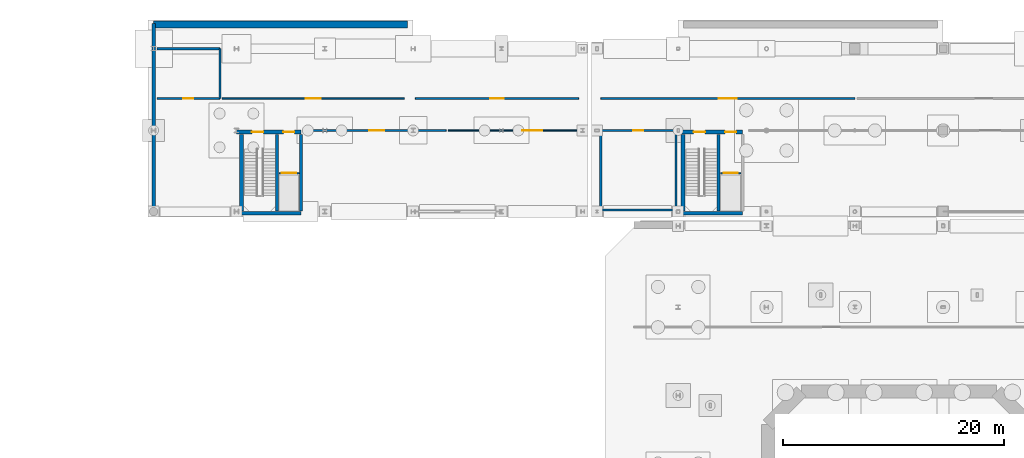
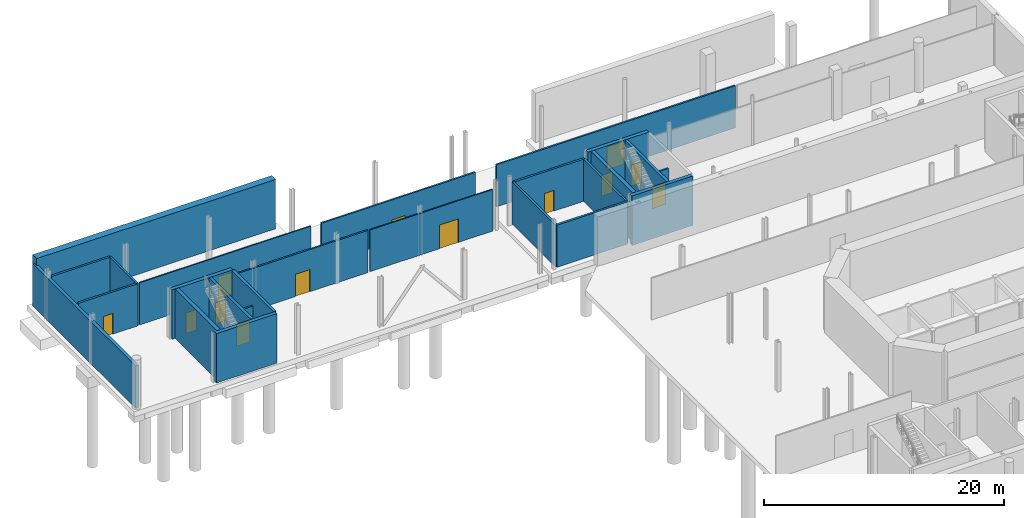
# One storey, part 22 of 33: 26 walls, 13 doors, 13 openings.
"""IFC4 building model written with IfcOpenShell, lengths in metres."""

from ifc_helpers import new_model, si_unit, direction, frame, frame_2d, origin, place, context, subcontext, project, spatial, rectangle, extrude, material, layer, layer_set, type_object, element, fill, save


model = new_model("IFC4")

# Units and contexts
model_context = context("Model", 3, precision=1e-05, world=origin(), true_north=direction((0.0, 1.0)))
body_context = subcontext(model_context, "Body", "Model", "MODEL_VIEW")
ifc_project = project(units=[si_unit("LENGTHUNIT", "METRE"), si_unit("AREAUNIT", "SQUARE_METRE"), si_unit("VOLUMEUNIT", "CUBIC_METRE"), si_unit("PLANEANGLEUNIT", "RADIAN"), si_unit("MASSUNIT", "GRAM", prefix="KILO")], contexts=[model_context])

# Site, building, storey
site_placement = place(None, origin())
site = spatial("IfcSite", under=ifc_project, at=site_placement, CompositionType="ELEMENT")
building_placement = place(site_placement, origin())
building = spatial("IfcBuilding", under=site, at=building_placement, Name="Brisemont Oceanarium", CompositionType="ELEMENT")
storey_placement = place(building_placement, frame((0.0, 0.0, -5.39990234375)))
storey = spatial("IfcBuildingStorey", under=building, at=storey_placement, Name="B01", CompositionType="ELEMENT", Elevation=-5.39990234375)

# Walls
ifc_material_1 = material(Name="Sierra Granite Ashlar Backup Concrete C35/45", Category="masonry")
ifc_layer_1 = layer(ifc_material_1, 0.300048828125)
ifc_layer_set_1 = layer_set([ifc_layer_1], Name="Sierra Granite Ashlar Backup Concrete C35/45")
wall_type_1 = type_object("IfcWallType", Name="EW-GRANITE-300", PredefinedType="STANDARD", material=ifc_layer_set_1)
wall_1_placement = place(storey_placement, frame((16.5, 80.5, 0.0), z_axis=(0.0, 0.0, 1.0), x_axis=(0.0, 1.0, 0.0)))
element("IfcWall", 1, at=wall_1_placement, inside=storey, type_object=wall_type_1, Name="Beaux-Arts exterior wall EW-V7W-W-B01-1", PredefinedType="STANDARD", context=body_context, shape_type="SweptSolid", body=[
    extrude(rectangle(XDim=7.5, YDim=0.300048828125, at=frame_2d((3.75, 0.0))), origin(), (0.0, 0.0, 1.0), 4.31689453125),
])
wall_2_placement = place(storey_placement, frame((16.5, 88.0, 0.0), z_axis=(0.0, 0.0, 1.0), x_axis=(0.0, 1.0, 0.0)))
element("IfcWall", 2, at=wall_2_placement, inside=storey, type_object=wall_type_1, Name="Beaux-Arts exterior wall EW-V7W-W-B01-2", PredefinedType="STANDARD", context=body_context, shape_type="SweptSolid", body=[
    extrude(rectangle(XDim=9.699951171875, YDim=0.300048828125, at=frame_2d((4.85009765625, 0.0))), origin(), (0.0, 0.0, 1.0), 4.31689453125),
])

# Wall, opening, door
ifc_material_2 = material(Name="Moisture-Resistant Gypsum Steel-Stud Partition", Category="steel")
ifc_layer_2 = layer(ifc_material_2, 0.159912109375)
ifc_layer_set_2 = layer_set([ifc_layer_2], Name="Moisture-Resistant Gypsum Steel-Stud Partition")
wall_type_2 = type_object("IfcWallType", Name="IW-FB-160", PredefinedType="PARTITIONING", material=ifc_layer_set_2)
wall_3_placement = place(storey_placement, frame((67.85009765625, 84.1298828125, 0.0), z_axis=(0.0, 0.0, 1.0), x_axis=(1.0, 0.0, 0.0)))
wall_3 = element("IfcWall", 3, at=wall_3_placement, inside=storey, type_object=wall_type_2, Name="Core C8 B01 lift hoistway front wall", PredefinedType="PARTITIONING", context=body_context, shape_type="SweptSolid", body=[
    extrude(rectangle(XDim=1.83984375, YDim=0.159912109375, at=frame_2d((0.919921875, 0.0))), origin(), (0.0, 0.0, 1.0), 3.599853515625),
])
opening_1_placement = place(wall_3_placement, frame((0.27001953125, 0.0, 0.0)))
opening_1 = element("IfcOpeningElement", 4, at=opening_1_placement, cuts=wall_3, Name="Opening LD-02", PredefinedType="OPENING", context=body_context, shape_type="SweptSolid", body=[
    extrude(rectangle(XDim=1.300048828125, YDim=2.199951171875, at=frame_2d((0.64990234375, 1.10009765625))), frame((0.0, 0.08984375, 0.0), z_axis=(0.0, -1.0, 0.0), x_axis=(1.0, 0.0, 0.0)), (0.0, 0.0, 1.0), 0.179931640625),
])
ifc_material_3 = material(Name="Duplex Stainless Steel EN 1.4462", Category="steel")
door_type_1 = type_object("IfcDoorType", Name="DR-LIFT-1300X2200", OperationType="NOTDEFINED", PredefinedType="DOOR", material=ifc_material_3)
door_1_placement = place(opening_1_placement, origin())
door_1 = element("IfcDoor", 5, at=door_1_placement, inside=storey, type_object=door_type_1, Name="Lift landing door L-08 B01", OperationType="SLIDING_TO_LEFT", OverallHeight=2.199951171875, OverallWidth=1.300048828125, PredefinedType="DOOR", context=body_context, shape_type="SweptSolid", body=[
    extrude(rectangle(XDim=1.300048828125, YDim=2.199951171875, at=frame_2d((0.64990234375, 1.10009765625))), frame((0.0, 0.02490234375, 0.0), z_axis=(0.0, -1.0, 0.0), x_axis=(1.0, 0.0, 0.0)), (0.0, 0.0, 1.0), 0.050048828125),
])
fill(opening_1, door_1)

wall_4_placement = place(storey_placement, frame((27.85009765625, 84.1298828125, 0.0), z_axis=(0.0, 0.0, 1.0), x_axis=(1.0, 0.0, 0.0)))
wall_4 = element("IfcWall", 6, at=wall_4_placement, inside=storey, type_object=wall_type_2, Name="Core C9 B01 lift hoistway front wall", PredefinedType="PARTITIONING", context=body_context, shape_type="SweptSolid", body=[
    extrude(rectangle(XDim=1.83984375, YDim=0.159912109375, at=frame_2d((0.919921875, 0.0))), origin(), (0.0, 0.0, 1.0), 3.599853515625),
])
opening_2_placement = place(wall_4_placement, frame((0.27001953125, 0.0, 0.0)))
opening_2 = element("IfcOpeningElement", 7, at=opening_2_placement, cuts=wall_4, Name="Opening LD-02", PredefinedType="OPENING", context=body_context, shape_type="SweptSolid", body=[
    extrude(rectangle(XDim=1.300048828125, YDim=2.199951171875, at=frame_2d((0.64990234375, 1.10009765625))), frame((0.0, 0.08984375, 0.0), z_axis=(0.0, -1.0, 0.0), x_axis=(1.0, 0.0, 0.0)), (0.0, 0.0, 1.0), 0.179931640625),
])
door_2_placement = place(opening_2_placement, origin())
door_2 = element("IfcDoor", 8, at=door_2_placement, inside=storey, type_object=door_type_1, Name="Lift landing door L-09 B01", OperationType="SLIDING_TO_LEFT", OverallHeight=2.199951171875, OverallWidth=1.300048828125, PredefinedType="DOOR", context=body_context, shape_type="SweptSolid", body=[
    extrude(rectangle(XDim=1.300048828125, YDim=2.199951171875, at=frame_2d((0.64990234375, 1.10009765625))), frame((0.0, 0.02490234375, 0.0), z_axis=(0.0, -1.0, 0.0), x_axis=(1.0, 0.0, 0.0)), (0.0, 0.0, 1.0), 0.050048828125),
])
fill(opening_2, door_2)

wall_5_placement = place(storey_placement, frame((30.39990234375, 88.0, 0.0), z_axis=(0.0, 0.0, 1.0), x_axis=(1.0, 0.0, 0.0)))
wall_5 = element("IfcWall", 9, at=wall_5_placement, inside=storey, type_object=wall_type_2, Name="Life Support Seawater Intake Plant corridor partition", PredefinedType="PARTITIONING", context=body_context, shape_type="SweptSolid", body=[
    extrude(rectangle(XDim=12.60009765625, YDim=0.159912109375, at=frame_2d((6.300048828125, 0.0))), origin(), (0.0, 0.0, 1.0), 4.289794921875),
])
opening_3_placement = place(wall_5_placement, frame((5.610107421875, 0.0, 0.0)))
opening_3 = element("IfcOpeningElement", 10, at=opening_3_placement, cuts=wall_5, Name="Opening PD-01", PredefinedType="OPENING", context=body_context, shape_type="SweptSolid", body=[
    extrude(rectangle(XDim=1.3798828125, YDim=2.25, at=frame_2d((0.68994140625, 1.125))), frame((0.0, 0.08984375, 0.0), z_axis=(0.0, -1.0, 0.0), x_axis=(1.0, 0.0, 0.0)), (0.0, 0.0, 1.0), 0.179931640625),
])
ifc_material_4 = material(Name="Duplex Stainless Steel EN 1.4462", Category="steel")
door_type_2 = type_object("IfcDoorType", Name="DR-PLT-1380X2250", OperationType="NOTDEFINED", PredefinedType="DOOR", material=ifc_material_4)
door_3_placement = place(opening_3_placement, origin())
door_3 = element("IfcDoor", 11, at=door_3_placement, inside=storey, type_object=door_type_2, Name="PD-01 door to Life Support Seawater Intake Plant", OperationType="SINGLE_SWING_RIGHT", OverallHeight=2.25, OverallWidth=1.3798828125, PredefinedType="DOOR", context=body_context, shape_type="SweptSolid", body=[
    extrude(rectangle(XDim=1.3798828125, YDim=2.25, at=frame_2d((0.68994140625, 1.125))), frame((0.0, 0.02490234375, 0.0), z_axis=(0.0, -1.0, 0.0), x_axis=(1.0, 0.0, 0.0)), (0.0, 0.0, 1.0), 0.050048828125),
])
fill(opening_3, door_3)

wall_6_placement = place(storey_placement, frame((40.199951171875, 90.89990234375, 0.0), z_axis=(0.0, 0.0, 1.0), x_axis=(1.0, 0.0, 0.0)))
wall_6 = element("IfcWall", 12, at=wall_6_placement, inside=storey, type_object=wall_type_2, Name="Quarantine Sterilization Plant corridor partition", PredefinedType="PARTITIONING", context=body_context, shape_type="SweptSolid", body=[
    extrude(rectangle(XDim=14.800048828125, YDim=0.159912109375, at=frame_2d((7.39990234375, 0.0))), origin(), (0.0, 0.0, 1.0), 4.23779296875),
])
opening_4_placement = place(wall_6_placement, frame((6.77490234375, 0.0, 0.0)))
opening_4 = element("IfcOpeningElement", 13, at=opening_4_placement, cuts=wall_6, Name="Opening LB-02", PredefinedType="OPENING", context=body_context, shape_type="SweptSolid", body=[
    extrude(rectangle(XDim=1.25, YDim=2.199951171875, at=frame_2d((0.625, 1.10009765625))), frame((0.0, 0.08984375, 0.0), z_axis=(0.0, -1.0, 0.0), x_axis=(1.0, 0.0, 0.0)), (0.0, 0.0, 1.0), 0.179931640625),
])
ifc_material_5 = material(Name="Duplex Stainless Steel EN 1.4462", Category="steel")
door_type_3 = type_object("IfcDoorType", Name="DR-LAB-1250X2200", OperationType="NOTDEFINED", PredefinedType="DOOR", material=ifc_material_5)
door_4_placement = place(opening_4_placement, origin())
door_4 = element("IfcDoor", 14, at=door_4_placement, inside=storey, type_object=door_type_3, Name="LB-02 door to Quarantine Sterilization Plant", OperationType="SINGLE_SWING_RIGHT", OverallHeight=2.199951171875, OverallWidth=1.25, PredefinedType="DOOR", context=body_context, shape_type="SweptSolid", body=[
    extrude(rectangle(XDim=1.25, YDim=2.199951171875, at=frame_2d((0.625, 1.10009765625))), frame((0.0, 0.02490234375, 0.0), z_axis=(0.0, -1.0, 0.0), x_axis=(1.0, 0.0, 0.0)), (0.0, 0.0, 1.0), 0.050048828125),
])
fill(opening_4, door_4)

wall_7_placement = place(storey_placement, frame((57.0, 90.89990234375, 0.0), z_axis=(0.0, 0.0, 1.0), x_axis=(1.0, 0.0, 0.0)))
wall_7 = element("IfcWall", 15, at=wall_7_placement, inside=storey, type_object=wall_type_2, Name="Life Support Protein Skimmer Plant corridor partition", PredefinedType="PARTITIONING", context=body_context, shape_type="SweptSolid", body=[
    extrude(rectangle(XDim=23.0, YDim=0.159912109375, at=frame_2d((11.5, 0.0))), origin(), (0.0, 0.0, 1.0), 4.289794921875),
])
opening_5_placement = place(wall_7_placement, frame((10.675048828125, 0.0, 0.0)))
opening_5 = element("IfcOpeningElement", 16, at=opening_5_placement, cuts=wall_7, Name="Opening GD-02", PredefinedType="OPENING", context=body_context, shape_type="SweptSolid", body=[
    extrude(rectangle(XDim=1.64990234375, YDim=2.35009765625, at=frame_2d((0.824951171875, 1.175048828125))), frame((0.0, 0.08984375, 0.0), z_axis=(0.0, -1.0, 0.0), x_axis=(1.0, 0.0, 0.0)), (0.0, 0.0, 1.0), 0.179931640625),
])
ifc_material_6 = material(Name="Patinated Architectural Bronze C38500")
door_type_4 = type_object("IfcDoorType", Name="DR-GAL-1650X2350", OperationType="NOTDEFINED", PredefinedType="DOOR", material=ifc_material_6)
door_5_placement = place(opening_5_placement, origin())
door_5 = element("IfcDoor", 17, at=door_5_placement, inside=storey, type_object=door_type_4, Name="GD-02 door to Life Support Protein Skimmer Plant", OperationType="SINGLE_SWING_LEFT", OverallHeight=2.35009765625, OverallWidth=1.64990234375, PredefinedType="DOOR", context=body_context, shape_type="SweptSolid", body=[
    extrude(rectangle(XDim=1.64990234375, YDim=2.35009765625, at=frame_2d((0.824951171875, 1.175048828125))), frame((0.0, 0.02490234375, 0.0), z_axis=(0.0, -1.0, 0.0), x_axis=(1.0, 0.0, 0.0)), (0.0, 0.0, 1.0), 0.050048828125),
])
fill(opening_5, door_5)

ifc_material_7 = material(Name="Moisture-Resistant Gypsum Steel-Stud Partition", Category="steel")
ifc_layer_3 = layer(ifc_material_7, 0.1201171875)
ifc_layer_set_3 = layer_set([ifc_layer_3], Name="Moisture-Resistant Gypsum Steel-Stud Partition")
wall_type_3 = type_object("IfcWallType", Name="IW-PART-120", PredefinedType="PARTITIONING", material=ifc_layer_set_3)
wall_8_placement = place(storey_placement, frame((43.199951171875, 88.0, 0.0), z_axis=(0.0, 0.0, 1.0), x_axis=(1.0, 0.0, 0.0)))
wall_8 = element("IfcWall", 18, at=wall_8_placement, inside=storey, type_object=wall_type_3, Name="Life Support Brine Recovery Plant corridor partition", PredefinedType="PARTITIONING", context=body_context, shape_type="SweptSolid", body=[
    extrude(rectangle(XDim=11.800048828125, YDim=0.1201171875, at=frame_2d((5.89990234375, 0.0))), origin(), (0.0, 0.0, 1.0), 4.23779296875),
])
opening_6_placement = place(wall_8_placement, frame((6.684814453125, 0.0, 0.0)))
opening_6 = element("IfcOpeningElement", 19, at=opening_6_placement, cuts=wall_8, Name="Opening GD-01", PredefinedType="OPENING", context=body_context, shape_type="SweptSolid", body=[
    extrude(rectangle(XDim=1.800048828125, YDim=2.39990234375, at=frame_2d((0.89990234375, 1.199951171875))), frame((0.0, 0.070068359375, 0.0), z_axis=(0.0, -1.0, 0.0), x_axis=(1.0, 0.0, 0.0)), (0.0, 0.0, 1.0), 0.14013671875),
])
ifc_material_8 = material(Name="Patinated Architectural Bronze C38500")
door_type_5 = type_object("IfcDoorType", Name="DR-GAL-1800X2400", OperationType="NOTDEFINED", PredefinedType="DOOR", material=ifc_material_8)
door_6_placement = place(opening_6_placement, origin())
door_6 = element("IfcDoor", 20, at=door_6_placement, inside=storey, type_object=door_type_5, Name="GD-01 door to Life Support Brine Recovery Plant", OperationType="SINGLE_SWING_LEFT", OverallHeight=2.39990234375, OverallWidth=1.800048828125, PredefinedType="DOOR", context=body_context, shape_type="SweptSolid", body=[
    extrude(rectangle(XDim=1.800048828125, YDim=2.39990234375, at=frame_2d((0.89990234375, 1.199951171875))), frame((0.0, 0.02490234375, 0.0), z_axis=(0.0, -1.0, 0.0), x_axis=(1.0, 0.0, 0.0)), (0.0, 0.0, 1.0), 0.050048828125),
])
fill(opening_6, door_6)

wall_9_placement = place(storey_placement, frame((22.699951171875, 90.89990234375, 0.0), z_axis=(0.0, 0.0, 1.0), x_axis=(1.0, 0.0, 0.0)))
wall_9 = element("IfcWall", 21, at=wall_9_placement, inside=storey, type_object=wall_type_3, Name="Quarantine Isolation Sump Hall corridor partition", PredefinedType="PARTITIONING", context=body_context, shape_type="SweptSolid", body=[
    extrude(rectangle(XDim=16.5, YDim=0.1201171875, at=frame_2d((8.25, 0.0))), origin(), (0.0, 0.0, 1.0), 4.289794921875),
])
opening_7_placement = place(wall_9_placement, frame((7.574951171875, 0.0, 0.0)))
opening_7 = element("IfcOpeningElement", 22, at=opening_7_placement, cuts=wall_9, Name="Opening LB-01", PredefinedType="OPENING", context=body_context, shape_type="SweptSolid", body=[
    extrude(rectangle(XDim=1.35009765625, YDim=2.25, at=frame_2d((0.675048828125, 1.125))), frame((0.0, 0.070068359375, 0.0), z_axis=(0.0, -1.0, 0.0), x_axis=(1.0, 0.0, 0.0)), (0.0, 0.0, 1.0), 0.14013671875),
])
ifc_material_9 = material(Name="Duplex Stainless Steel EN 1.4462", Category="steel")
door_type_6 = type_object("IfcDoorType", Name="DR-LAB-1350X2250", OperationType="NOTDEFINED", PredefinedType="DOOR", material=ifc_material_9)
door_7_placement = place(opening_7_placement, origin())
door_7 = element("IfcDoor", 23, at=door_7_placement, inside=storey, type_object=door_type_6, Name="LB-01 door to Quarantine Isolation Sump Hall", OperationType="SINGLE_SWING_LEFT", OverallHeight=2.25, OverallWidth=1.35009765625, PredefinedType="DOOR", context=body_context, shape_type="SweptSolid", body=[
    extrude(rectangle(XDim=1.35009765625, YDim=2.25, at=frame_2d((0.675048828125, 1.125))), frame((0.0, 0.02490234375, 0.0), z_axis=(0.0, -1.0, 0.0), x_axis=(1.0, 0.0, 0.0)), (0.0, 0.0, 1.0), 0.050048828125),
])
fill(opening_7, door_7)

ifc_material_10 = material(Name="Cementitious Tile-Backer Plumbing Wall")
ifc_layer_4 = layer(ifc_material_10, 0.199951171875)
ifc_layer_set_4 = layer_set([ifc_layer_4], Name="Cementitious Tile-Backer Plumbing Wall")
wall_type_4 = type_object("IfcWallType", Name="IW-PLUMB-200", PredefinedType="PLUMBINGWALL", material=ifc_layer_set_4)
wall_10_placement = place(storey_placement, frame((16.800048828125, 90.89990234375, 0.0), z_axis=(0.0, 0.0, 1.0), x_axis=(1.0, 0.0, 0.0)))
wall_10 = element("IfcWall", 24, at=wall_10_placement, inside=storey, type_object=wall_type_4, Name="Staff Restroom corridor partition", PredefinedType="PLUMBINGWALL", context=body_context, shape_type="SweptSolid", body=[
    extrude(rectangle(XDim=5.699951171875, YDim=0.199951171875, at=frame_2d((2.85009765625, 0.0))), origin(), (0.0, 0.0, 1.0), 4.289794921875),
])
opening_8_placement = place(wall_10_placement, frame((2.39501953125, 0.0, 0.0)))
opening_8 = element("IfcOpeningElement", 25, at=opening_8_placement, cuts=wall_10, Name="Opening D-03", PredefinedType="OPENING", context=body_context, shape_type="SweptSolid", body=[
    extrude(rectangle(XDim=0.909912109375, YDim=2.10009765625, at=frame_2d((0.455078125, 1.050048828125))), frame((0.0, 0.10986328125, 0.0), z_axis=(0.0, -1.0, 0.0), x_axis=(1.0, 0.0, 0.0)), (0.0, 0.0, 1.0), 0.219970703125),
])
ifc_material_11 = material(Name="FSC White Oak Solid-Core Fire Door")
door_type_7 = type_object("IfcDoorType", Name="DR-WC-910X2100", OperationType="NOTDEFINED", PredefinedType="DOOR", material=ifc_material_11)
door_8_placement = place(opening_8_placement, origin())
door_8 = element("IfcDoor", 26, at=door_8_placement, inside=storey, type_object=door_type_7, Name="D-03 door to Staff Restroom", OperationType="SINGLE_SWING_RIGHT", OverallHeight=2.10009765625, OverallWidth=0.909912109375, PredefinedType="DOOR", context=body_context, shape_type="SweptSolid", body=[
    extrude(rectangle(XDim=0.909912109375, YDim=2.10009765625, at=frame_2d((0.455078125, 1.050048828125))), frame((0.0, 0.02490234375, 0.0), z_axis=(0.0, -1.0, 0.0), x_axis=(1.0, 0.0, 0.0)), (0.0, 0.0, 1.0), 0.050048828125),
])
fill(opening_8, door_8)

# Walls
wall_11_placement = place(storey_placement, frame((16.800048828125, 95.39990234375, 0.0), z_axis=(0.0, 0.0, 1.0), x_axis=(1.0, 0.0, 0.0)))
element("IfcWall", 27, at=wall_11_placement, inside=storey, type_object=wall_type_4, Name="Staff Restroom enclosure wall N", PredefinedType="PLUMBINGWALL", context=body_context, shape_type="SweptSolid", body=[
    extrude(rectangle(XDim=5.699951171875, YDim=0.199951171875, at=frame_2d((2.85009765625, 0.0))), origin(), (0.0, 0.0, 1.0), 4.289794921875),
])
wall_12_placement = place(storey_placement, frame((22.5, 90.89990234375, 0.0), z_axis=(0.0, 0.0, 1.0), x_axis=(0.0, 1.0, 0.0)))
element("IfcWall", 28, at=wall_12_placement, inside=storey, type_object=wall_type_4, Name="Staff Restroom enclosure wall E", PredefinedType="PLUMBINGWALL", context=body_context, shape_type="SweptSolid", body=[
    extrude(rectangle(XDim=4.5, YDim=0.199951171875, at=frame_2d((2.25, 0.0))), origin(), (0.0, 0.0, 1.0), 4.289794921875),
])

# Wall, opening, door
wall_13_placement = place(storey_placement, frame((57.0, 88.0, 0.0), z_axis=(0.0, 0.0, 1.0), x_axis=(1.0, 0.0, 0.0)))
wall_13 = element("IfcWall", 29, at=wall_13_placement, inside=storey, type_object=wall_type_4, Name="Staff Restroom corridor partition", PredefinedType="PLUMBINGWALL", context=body_context, shape_type="SweptSolid", body=[
    extrude(rectangle(XDim=6.800048828125, YDim=0.199951171875, at=frame_2d((3.39990234375, 0.0))), origin(), (0.0, 0.0, 1.0), 4.289794921875),
])
opening_9_placement = place(wall_13_placement, frame((2.945068359375, 0.0, 0.0)))
opening_9 = element("IfcOpeningElement", 30, at=opening_9_placement, cuts=wall_13, Name="Opening D-03", PredefinedType="OPENING", context=body_context, shape_type="SweptSolid", body=[
    extrude(rectangle(XDim=0.909912109375, YDim=2.10009765625, at=frame_2d((0.455078125, 1.050048828125))), frame((0.0, 0.10986328125, 0.0), z_axis=(0.0, -1.0, 0.0), x_axis=(1.0, 0.0, 0.0)), (0.0, 0.0, 1.0), 0.219970703125),
])
door_9_placement = place(opening_9_placement, origin())
door_9 = element("IfcDoor", 31, at=door_9_placement, inside=storey, type_object=door_type_7, Name="D-03 door to Staff Restroom", OperationType="SINGLE_SWING_LEFT", OverallHeight=2.10009765625, OverallWidth=0.909912109375, PredefinedType="DOOR", context=body_context, shape_type="SweptSolid", body=[
    extrude(rectangle(XDim=0.909912109375, YDim=2.10009765625, at=frame_2d((0.455078125, 1.050048828125))), frame((0.0, 0.02490234375, 0.0), z_axis=(0.0, -1.0, 0.0), x_axis=(1.0, 0.0, 0.0)), (0.0, 0.0, 1.0), 0.050048828125),
])
fill(opening_9, door_9)

# Walls
wall_14_placement = place(storey_placement, frame((57.0, 80.800048828125, 0.0), z_axis=(0.0, 0.0, 1.0), x_axis=(1.0, 0.0, 0.0)))
element("IfcWall", 32, at=wall_14_placement, inside=storey, type_object=wall_type_4, Name="Staff Restroom enclosure wall S", PredefinedType="PLUMBINGWALL", context=body_context, shape_type="SweptSolid", body=[
    extrude(rectangle(XDim=6.800048828125, YDim=0.199951171875, at=frame_2d((3.39990234375, 0.0))), origin(), (0.0, 0.0, 1.0), 4.289794921875),
])
for number, where, z_axis, x_axis, name in (
    (33, (57.0, 80.800048828125, 0.0), (0.0, 0.0, 1.0), (0.0, 1.0, 0.0), "Staff Restroom enclosure wall W"),
    (34, (63.800048828125, 80.800048828125, 0.0), (0.0, 0.0, 1.0), (0.0, 1.0, 0.0), "Staff Restroom enclosure wall E"),
):
    element("IfcWall", number, at=place(storey_placement, frame(where, z_axis=z_axis, x_axis=x_axis)), inside=storey, type_object=wall_type_4, Name=name, PredefinedType="PLUMBINGWALL", context=body_context, shape_type="SweptSolid", body=[
        extrude(rectangle(XDim=7.199951171875, YDim=0.199951171875, at=frame_2d((3.60009765625, 0.0))), origin(), (0.0, 0.0, 1.0), 4.289794921875),
    ])
ifc_material_12 = material(Name="Concrete C40/50", Category="concrete")
ifc_layer_5 = layer(ifc_material_12, 0.64990234375)
ifc_layer_set_5 = layer_set([ifc_layer_5], Name="Concrete C40/50")
wall_type_5 = type_object("IfcWallType", Name="SW-RET-650", PredefinedType="USERDEFINED", material=ifc_layer_set_5)
wall_15_placement = place(storey_placement, frame((16.5, 97.60009765625, 0.0), z_axis=(0.0, 0.0, 1.0), x_axis=(1.0, 0.0, 0.0)))
element("IfcWall", 35, at=wall_15_placement, inside=storey, type_object=wall_type_5, Name="Hillside RC retaining wall RET-V7W-N", ObjectType="RETAINING_WALL", PredefinedType="USERDEFINED", context=body_context, shape_type="SweptSolid", body=[
    extrude(rectangle(XDim=23.0, YDim=0.64990234375, at=frame_2d((11.5, 0.0))), origin(), (0.0, 0.0, 1.0), 5.02001953125),
])
ifc_material_13 = material(Name="Concrete C40/50", Category="concrete")
ifc_layer_6 = layer(ifc_material_13, 0.260009765625)
ifc_layer_set_6 = layer_set([ifc_layer_6], Name="Concrete C40/50")
wall_type_6 = type_object("IfcWallType", Name="SW-SHAFT-260", PredefinedType="SHEAR", material=ifc_layer_set_6)
for number, where, z_axis, x_axis, name in (
    (36, (67.669921875, 80.699951171875, 0.0), (0.0, 0.0, 1.0), (0.0, 1.0, 0.0), "Core C8 B01 MID RC shear wall"),
    (37, (29.85009765625, 80.699951171875, 0.0), (0.0, 0.0, 1.0), (0.0, 1.0, 0.0), "Core C9 B01 E RC shear wall"),
    (38, (27.669921875, 80.699951171875, 0.0), (0.0, 0.0, 1.0), (0.0, 1.0, 0.0), "Core C9 B01 MID RC shear wall"),
):
    element("IfcWall", number, at=place(storey_placement, frame(where, z_axis=z_axis, x_axis=x_axis)), inside=storey, type_object=wall_type_6, Name=name, PredefinedType="SHEAR", context=body_context, shape_type="SweptSolid", body=[
        extrude(rectangle(XDim=6.949951171875, YDim=0.260009765625, at=frame_2d((3.47509765625, 0.0))), origin(), (0.0, 0.0, 1.0), 5.02978515625),
    ])

# Wall, openings, doors
ifc_material_14 = material(Name="Concrete C40/50", Category="concrete")
ifc_layer_7 = layer(ifc_material_14, 0.35009765625)
ifc_layer_set_7 = layer_set([ifc_layer_7], Name="Concrete C40/50")
wall_type_7 = type_object("IfcWallType", Name="SW-STAIR-350", PredefinedType="SHEAR", material=ifc_layer_set_7)
wall_16_placement = place(storey_placement, frame((64.0, 87.85009765625, 0.0), z_axis=(0.0, 0.0, 1.0), x_axis=(1.0, 0.0, 0.0)))
wall_16 = element("IfcWall", 39, at=wall_16_placement, inside=storey, type_object=wall_type_7, Name="Core C8 B01 corridor RC shear wall", PredefinedType="SHEAR", context=body_context, shape_type="SweptSolid", body=[
    extrude(rectangle(XDim=5.85009765625, YDim=0.35009765625, at=frame_2d((2.925048828125, 0.0))), origin(), (0.0, 0.0, 1.0), 5.02978515625),
])
opening_10_placement = place(wall_16_placement, frame((1.39990234375, 0.0, 0.0)))
opening_10 = element("IfcOpeningElement", 40, at=opening_10_placement, cuts=wall_16, Name="Opening SD-02", PredefinedType="OPENING", context=body_context, shape_type="SweptSolid", body=[
    extrude(rectangle(XDim=1.050048828125, YDim=2.10009765625, at=frame_2d((0.52490234375, 1.050048828125))), frame((0.0, 0.18505859375, 0.0), z_axis=(0.0, -1.0, 0.0), x_axis=(1.0, 0.0, 0.0)), (0.0, 0.0, 1.0), 0.3701171875),
])
opening_11_placement = place(wall_16_placement, frame((4.25, 0.0, 0.0)))
opening_11 = element("IfcOpeningElement", 41, at=opening_11_placement, cuts=wall_16, Name="Opening FD90-2", PredefinedType="OPENING", context=body_context, shape_type="SweptSolid", body=[
    extrude(rectangle(XDim=1.0, YDim=2.14990234375, at=frame_2d((0.5, 1.074951171875))), frame((0.0, 0.18505859375, 0.0), z_axis=(0.0, -1.0, 0.0), x_axis=(1.0, 0.0, 0.0)), (0.0, 0.0, 1.0), 0.3701171875),
])
ifc_material_15 = material(Name="FSC White Oak Solid-Core Fire Door")
door_type_8 = type_object("IfcDoorType", Name="DR-LOB-1000X2150", OperationType="NOTDEFINED", PredefinedType="DOOR", material=ifc_material_15)
door_10_placement = place(opening_11_placement, origin())
door_10 = element("IfcDoor", 42, at=door_10_placement, inside=storey, type_object=door_type_8, Name="Lift lobby door C8 B01", OperationType="SINGLE_SWING_RIGHT", OverallHeight=2.14990234375, OverallWidth=1.0, PredefinedType="DOOR", context=body_context, shape_type="SweptSolid", body=[
    extrude(rectangle(XDim=1.0, YDim=2.14990234375, at=frame_2d((0.5, 1.074951171875))), frame((0.0, 0.02490234375, 0.0), z_axis=(0.0, -1.0, 0.0), x_axis=(1.0, 0.0, 0.0)), (0.0, 0.0, 1.0), 0.050048828125),
])
fill(opening_11, door_10)
ifc_material_16 = material(Name="Duplex Stainless Steel EN 1.4462", Category="steel")
door_type_9 = type_object("IfcDoorType", Name="DR-STAIR-1050X2100", OperationType="NOTDEFINED", PredefinedType="DOOR", material=ifc_material_16)
door_11_placement = place(opening_10_placement, origin())
door_11 = element("IfcDoor", 43, at=door_11_placement, inside=storey, type_object=door_type_9, Name="Exit stair door ST-08 B01", OperationType="SINGLE_SWING_LEFT", OverallHeight=2.10009765625, OverallWidth=1.050048828125, PredefinedType="DOOR", context=body_context, shape_type="SweptSolid", body=[
    extrude(rectangle(XDim=1.050048828125, YDim=2.10009765625, at=frame_2d((0.52490234375, 1.050048828125))), frame((0.0, 0.02490234375, 0.0), z_axis=(0.0, -1.0, 0.0), x_axis=(1.0, 0.0, 0.0)), (0.0, 0.0, 1.0), 0.050048828125),
])
fill(opening_10, door_11)

# Walls
wall_17_placement = place(storey_placement, frame((64.0, 80.5, 0.0), z_axis=(0.0, 0.0, 1.0), x_axis=(1.0, 0.0, 0.0)))
element("IfcWall", 44, at=wall_17_placement, inside=storey, type_object=wall_type_7, Name="Core C8 B01 BCK RC shear wall", PredefinedType="SHEAR", context=body_context, shape_type="SweptSolid", body=[
    extrude(rectangle(XDim=5.85009765625, YDim=0.35009765625, at=frame_2d((2.925048828125, 0.0))), origin(), (0.0, 0.0, 1.0), 5.02978515625),
])
wall_18_placement = place(storey_placement, frame((64.449951171875, 80.699951171875, 0.0), z_axis=(0.0, 0.0, 1.0), x_axis=(0.0, 1.0, 0.0)))
element("IfcWall", 45, at=wall_18_placement, inside=storey, type_object=wall_type_7, Name="Core C8 B01 W RC shear wall", PredefinedType="SHEAR", context=body_context, shape_type="SweptSolid", body=[
    extrude(rectangle(XDim=6.949951171875, YDim=0.35009765625, at=frame_2d((3.47509765625, 0.0))), origin(), (0.0, 0.0, 1.0), 5.02978515625),
])

# Wall, openings, doors
wall_19_placement = place(storey_placement, frame((24.0, 87.85009765625, 0.0), z_axis=(0.0, 0.0, 1.0), x_axis=(1.0, 0.0, 0.0)))
wall_19 = element("IfcWall", 46, at=wall_19_placement, inside=storey, type_object=wall_type_7, Name="Core C9 B01 corridor RC shear wall", PredefinedType="SHEAR", context=body_context, shape_type="SweptSolid", body=[
    extrude(rectangle(XDim=5.85009765625, YDim=0.35009765625, at=frame_2d((2.925048828125, 0.0))), origin(), (0.0, 0.0, 1.0), 5.02978515625),
])
opening_12_placement = place(wall_19_placement, frame((1.39990234375, 0.0, 0.0)))
opening_12 = element("IfcOpeningElement", 47, at=opening_12_placement, cuts=wall_19, Name="Opening SD-02", PredefinedType="OPENING", context=body_context, shape_type="SweptSolid", body=[
    extrude(rectangle(XDim=1.050048828125, YDim=2.10009765625, at=frame_2d((0.52490234375, 1.050048828125))), frame((0.0, 0.18505859375, 0.0), z_axis=(0.0, -1.0, 0.0), x_axis=(1.0, 0.0, 0.0)), (0.0, 0.0, 1.0), 0.3701171875),
])
opening_13_placement = place(wall_19_placement, frame((4.25, 0.0, 0.0)))
opening_13 = element("IfcOpeningElement", 48, at=opening_13_placement, cuts=wall_19, Name="Opening FD90-2", PredefinedType="OPENING", context=body_context, shape_type="SweptSolid", body=[
    extrude(rectangle(XDim=1.0, YDim=2.14990234375, at=frame_2d((0.5, 1.074951171875))), frame((0.0, 0.18505859375, 0.0), z_axis=(0.0, -1.0, 0.0), x_axis=(1.0, 0.0, 0.0)), (0.0, 0.0, 1.0), 0.3701171875),
])
door_12_placement = place(opening_13_placement, origin())
door_12 = element("IfcDoor", 49, at=door_12_placement, inside=storey, type_object=door_type_8, Name="Lift lobby door C9 B01", OperationType="SINGLE_SWING_RIGHT", OverallHeight=2.14990234375, OverallWidth=1.0, PredefinedType="DOOR", context=body_context, shape_type="SweptSolid", body=[
    extrude(rectangle(XDim=1.0, YDim=2.14990234375, at=frame_2d((0.5, 1.074951171875))), frame((0.0, 0.02490234375, 0.0), z_axis=(0.0, -1.0, 0.0), x_axis=(1.0, 0.0, 0.0)), (0.0, 0.0, 1.0), 0.050048828125),
])
fill(opening_13, door_12)
door_13_placement = place(opening_12_placement, origin())
door_13 = element("IfcDoor", 50, at=door_13_placement, inside=storey, type_object=door_type_9, Name="Exit stair door ST-09 B01", OperationType="SINGLE_SWING_LEFT", OverallHeight=2.10009765625, OverallWidth=1.050048828125, PredefinedType="DOOR", context=body_context, shape_type="SweptSolid", body=[
    extrude(rectangle(XDim=1.050048828125, YDim=2.10009765625, at=frame_2d((0.52490234375, 1.050048828125))), frame((0.0, 0.02490234375, 0.0), z_axis=(0.0, -1.0, 0.0), x_axis=(1.0, 0.0, 0.0)), (0.0, 0.0, 1.0), 0.050048828125),
])
fill(opening_12, door_13)

# Walls
wall_20_placement = place(storey_placement, frame((24.0, 80.5, 0.0), z_axis=(0.0, 0.0, 1.0), x_axis=(1.0, 0.0, 0.0)))
element("IfcWall", 51, at=wall_20_placement, inside=storey, type_object=wall_type_7, Name="Core C9 B01 BCK RC shear wall", PredefinedType="SHEAR", context=body_context, shape_type="SweptSolid", body=[
    extrude(rectangle(XDim=5.85009765625, YDim=0.35009765625, at=frame_2d((2.925048828125, 0.0))), origin(), (0.0, 0.0, 1.0), 5.02978515625),
])
wall_21_placement = place(storey_placement, frame((24.449951171875, 80.699951171875, 0.0), z_axis=(0.0, 0.0, 1.0), x_axis=(0.0, 1.0, 0.0)))
element("IfcWall", 52, at=wall_21_placement, inside=storey, type_object=wall_type_7, Name="Core C9 B01 W RC shear wall", PredefinedType="SHEAR", context=body_context, shape_type="SweptSolid", body=[
    extrude(rectangle(XDim=6.949951171875, YDim=0.35009765625, at=frame_2d((3.47509765625, 0.0))), origin(), (0.0, 0.0, 1.0), 5.02978515625),
])

save(model, "model.ifc")
